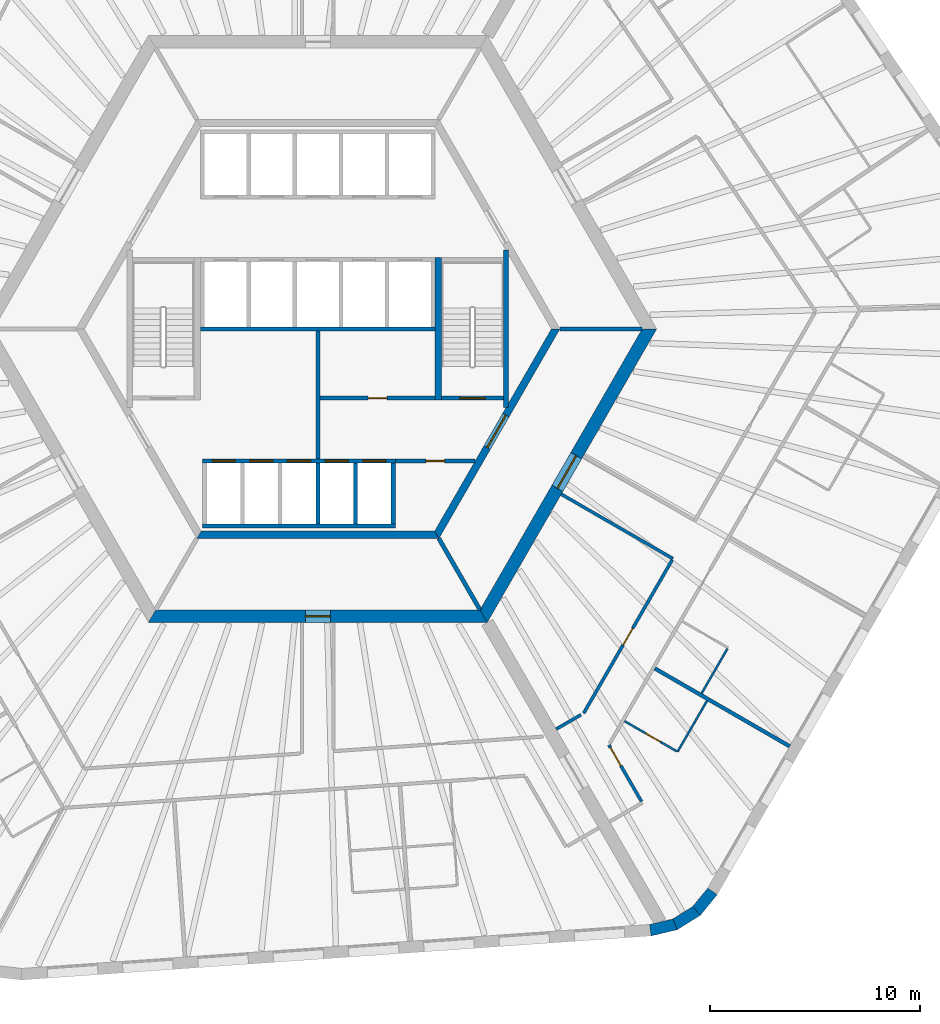
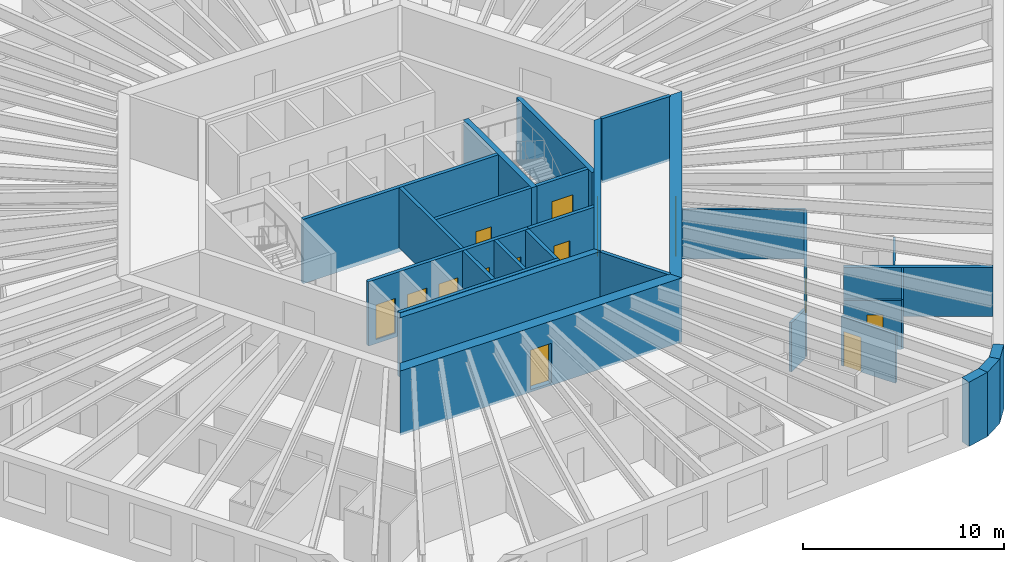
# One storey, part 5 of 11: 29 walls, 14 doors, 14 openings.
"""IFC4 building model written with IfcOpenShell, lengths in metres."""

from ifc_helpers import new_model, si_unit, direction, frame, frame_2d, origin, place, context, subcontext, project, spatial, polyline, rectangle, outline, extrude, material, layer, layer_set, type_object, element, fill, save


model = new_model("IFC4")

# Units and contexts
model_context = context("Model", 3, precision=1e-05, world=origin(), true_north=direction((0.0, 1.0)))
body_context = subcontext(model_context, "Body", "Model", "MODEL_VIEW")
ifc_project = project(units=[si_unit("LENGTHUNIT", "METRE"), si_unit("AREAUNIT", "SQUARE_METRE"), si_unit("VOLUMEUNIT", "CUBIC_METRE"), si_unit("PLANEANGLEUNIT", "RADIAN"), si_unit("MASSUNIT", "GRAM", prefix="KILO")], contexts=[model_context])

# Site, building, storey
site_placement = place(None, origin())
site = spatial("IfcSite", under=ifc_project, at=site_placement, CompositionType="ELEMENT")
building_placement = place(site_placement, origin())
building = spatial("IfcBuilding", under=site, at=building_placement, Name="Tarnside Tower", CompositionType="ELEMENT")
storey_placement = place(building_placement, frame((0.0, 0.0, 45.300048828125)))
storey = spatial("IfcBuildingStorey", under=building, at=storey_placement, Name="L08", CompositionType="ELEMENT", Elevation=45.300048828125)

# Wall
ifc_material_1 = material(Name="Gypsum board partition on steel studs", Category="steel")
ifc_layer_1 = layer(ifc_material_1, 0.10009765625)
ifc_layer_set_1 = layer_set([ifc_layer_1], Name="Bathroom wall 100")
wall_type_1 = type_object("IfcWallType", Name="Bathroom wall 100", PredefinedType="PARTITIONING", material=ifc_layer_set_1)
wall_1_placement = place(storey_placement, frame((18.56787109375, -17.739501953125, 0.0), z_axis=(0.0, 0.0, 1.0), x_axis=(-0.499998209175, -0.866026437715, 0.0)))
element("IfcWall", 1, at=wall_1_placement, inside=storey, type_object=wall_type_1, Name="Bathroom wall 01127", PredefinedType="PARTITIONING", context=body_context, shape_type="SweptSolid", body=[
    extrude(rectangle(XDim=2.81005859375, YDim=0.10009765625, at=frame_2d((1.405029296875, 0.0))), origin(), (0.0, 0.0, 1.0), 2.98779296875),
])

# Wall, opening, door
wall_2_placement = place(storey_placement, frame((17.11962890625, -20.14794921875, 0.0), z_axis=(0.0, 0.0, 1.0), x_axis=(-0.866039941686, 0.499974818771, 0.0)))
wall_2 = element("IfcWall", 2, at=wall_2_placement, inside=storey, type_object=wall_type_1, Name="Bathroom wall 01128", PredefinedType="PARTITIONING", context=body_context, shape_type="SweptSolid", body=[
    extrude(rectangle(XDim=2.875244140625, YDim=0.10009765625, at=frame_2d((1.4375, 0.0))), origin(), (0.0, 0.0, 1.0), 2.98779296875),
])
opening_1_placement = place(wall_2_placement, frame((0.89990234375, 0.0, 0.0)))
opening_1 = element("IfcOpeningElement", 3, at=opening_1_placement, cuts=wall_2, Name="Opening D-B1", PredefinedType="OPENING", context=body_context, shape_type="SweptSolid", body=[
    extrude(rectangle(XDim=0.800048828125, YDim=2.10009765625, at=frame_2d((0.39990234375, 1.050048828125))), frame((0.0, 0.06005859375, 0.0), z_axis=(0.0, -1.0, 0.0), x_axis=(1.0, 0.0, 0.0)), (0.0, 0.0, 1.0), 0.1201171875),
])
ifc_material_2 = material(Name="Timber door leaf", Category="wood")
door_type_1 = type_object("IfcDoorType", Name="Bathroom door 800", OperationType="NOTDEFINED", PredefinedType="DOOR", material=ifc_material_2)
door_1_placement = place(opening_1_placement, origin())
door_1 = element("IfcDoor", 4, at=door_1_placement, inside=storey, type_object=door_type_1, Name="Bathroom door 01028", OperationType="SINGLE_SWING_RIGHT", OverallHeight=2.10009765625, OverallWidth=0.800048828125, PredefinedType="DOOR", context=body_context, shape_type="SweptSolid", body=[
    extrude(rectangle(XDim=0.800048828125, YDim=2.10009765625, at=frame_2d((0.39990234375, 1.050048828125))), frame((0.0, 0.02490234375, 0.0), z_axis=(0.0, -1.0, 0.0), x_axis=(1.0, 0.0, 0.0)), (0.0, 0.0, 1.0), 0.050048828125),
])
fill(opening_1, door_1)

# Walls
wall_3_placement = place(storey_placement, frame((19.54150390625, -15.253173828125, 0.0), z_axis=(0.0, 0.0, 1.0), x_axis=(-0.500003092839, -0.866023618125, 0.0)))
element("IfcWall", 5, at=wall_3_placement, inside=storey, type_object=wall_type_1, Name="Bathroom wall 01133", PredefinedType="PARTITIONING", context=body_context, shape_type="SweptSolid", body=[
    extrude(rectangle(XDim=2.4599609375, YDim=0.10009765625, at=frame_2d((1.22998046875, 0.0))), origin(), (0.0, 0.0, 1.0), 2.98779296875),
])
ifc_material_3 = material(Name="Concrete C50/60", Category="concrete")
ifc_layer_2 = layer(ifc_material_3, 0.35009765625)
ifc_layer_set_2 = layer_set([ifc_layer_2], Name="Core block wall 350 C50/60")
wall_type_2 = type_object("IfcWallType", Name="Core block wall 350 C50/60", PredefinedType="SHEAR", material=ifc_layer_set_2)
wall_4_placement = place(storey_placement, frame((-5.672607421875, -9.824951171875, -0.150146484375), z_axis=(0.0, 0.0, 1.0), x_axis=(1.0, 0.0, 0.0)))
element("IfcWall", 6, at=wall_4_placement, inside=storey, type_object=wall_type_2, Name="L08 core block wall face 4", PredefinedType="SHEAR", context=body_context, shape_type="SweptSolid", body=[
    extrude(outline(polyline([(-0.10107421875, -0.175048828125), (11.4462890625, -0.175048828125), (11.244140625, 0.175048828125), (0.10107421875, 0.175048828125), (-0.10107421875, -0.175048828125)])), origin(), (0.0, 0.0, 1.0), 3.900146484375),
])

# Wall, opening, door
wall_5_placement = place(storey_placement, frame((5.672607421875, -9.824951171875, -0.150146484375), z_axis=(0.0, 0.0, 1.0), x_axis=(0.499995046907, 0.866028263435, 0.0)))
wall_5 = element("IfcWall", 7, at=wall_5_placement, inside=storey, type_object=wall_type_2, Name="L08 core block wall face 5", PredefinedType="SHEAR", context=body_context, shape_type="SweptSolid", body=[
    extrude(outline(polyline([(-0.10107421875, -0.175048828125), (11.44580078125, -0.175048828125), (11.24365234375, 0.175048828125), (0.10107421875, 0.175048828125), (-0.10107421875, -0.175048828125)])), origin(), (0.0, 0.0, 1.0), 3.900146484375),
])
opening_2_placement = place(wall_5_placement, frame((4.80126953125, 0.0, 0.14990234375)))
opening_2 = element("IfcOpeningElement", 8, at=opening_2_placement, cuts=wall_5, Name="Opening CD-FFL", PredefinedType="OPENING", context=body_context, shape_type="SweptSolid", body=[
    extrude(rectangle(XDim=1.800048828125, YDim=2.39990234375, at=frame_2d((0.89990234375, 1.199951171875))), frame((0.0, 0.18505859375, 0.0), z_axis=(0.0, -1.0, 0.0), x_axis=(1.0, 0.0, 0.0)), (0.0, 0.0, 1.0), 0.3701171875),
])
ifc_material_4 = material(Name="Steel fire door", Category="steel")
door_type_2 = type_object("IfcDoorType", Name="Firefighting lobby double door FD60S 1800x2400", OperationType="NOTDEFINED", PredefinedType="DOOR", material=ifc_material_4)
door_2_placement = place(opening_2_placement, origin())
door_2 = element("IfcDoor", 9, at=door_2_placement, inside=storey, type_object=door_type_2, Name="L08 lobby block door P4", OperationType="DOUBLE_DOOR_SINGLE_SWING", OverallHeight=2.39990234375, OverallWidth=1.800048828125, PredefinedType="DOOR", context=body_context, shape_type="SweptSolid", body=[
    extrude(rectangle(XDim=1.800048828125, YDim=2.39990234375, at=frame_2d((0.89990234375, 1.199951171875))), frame((0.0, 0.02490234375, 0.0), z_axis=(0.0, -1.0, 0.0), x_axis=(1.0, 0.0, 0.0)), (0.0, 0.0, 1.0), 0.050048828125),
])
fill(opening_2, door_2)

ifc_material_5 = material(Name="Concrete C40/50", Category="concrete")
ifc_layer_3 = layer(ifc_material_5, 0.199951171875)
ifc_layer_set_3 = layer_set([ifc_layer_3], Name="Core room partition 200 C40/50")
wall_type_3 = type_object("IfcWallType", Name="Core room partition 200 C40/50", PredefinedType="PARTITIONING", material=ifc_layer_set_3)
wall_6_placement = place(storey_placement, frame((0.10009765625, -3.300048828125, 0.0), z_axis=(0.0, 0.0, 1.0), x_axis=(1.0, 0.0, 0.0)))
wall_6 = element("IfcWall", 10, at=wall_6_placement, inside=storey, type_object=wall_type_3, Name="L08 core partition R3S1", PredefinedType="PARTITIONING", context=body_context, shape_type="SweptSolid", body=[
    extrude(rectangle(XDim=5.5, YDim=0.199951171875, at=frame_2d((2.75, 0.0))), origin(), (0.0, 0.0, 1.0), 3.64990234375),
])
opening_3_placement = place(wall_6_placement, frame((2.300048828125, 0.0, 0.0)))
opening_3 = element("IfcOpeningElement", 11, at=opening_3_placement, cuts=wall_6, Name="Opening CD-room", PredefinedType="OPENING", context=body_context, shape_type="SweptSolid", body=[
    extrude(rectangle(XDim=0.89990234375, YDim=2.10009765625, at=frame_2d((0.449951171875, 1.050048828125))), frame((0.0, 0.10986328125, 0.0), z_axis=(0.0, -1.0, 0.0), x_axis=(1.0, 0.0, 0.0)), (0.0, 0.0, 1.0), 0.219970703125),
])
door_type_3 = type_object("IfcDoorType", Name="Room door FD60 900x2100", OperationType="NOTDEFINED", PredefinedType="DOOR", material=ifc_material_4)
door_3_placement = place(opening_3_placement, origin())
door_3 = element("IfcDoor", 12, at=door_3_placement, inside=storey, type_object=door_type_3, Name="L08 core room door SR1", OperationType="SINGLE_SWING_LEFT", OverallHeight=2.10009765625, OverallWidth=0.89990234375, PredefinedType="DOOR", context=body_context, shape_type="SweptSolid", body=[
    extrude(rectangle(XDim=0.89990234375, YDim=2.10009765625, at=frame_2d((0.449951171875, 1.050048828125))), frame((0.0, 0.02490234375, 0.0), z_axis=(0.0, -1.0, 0.0), x_axis=(1.0, 0.0, 0.0)), (0.0, 0.0, 1.0), 0.050048828125),
])
fill(opening_3, door_3)

# Wall
wall_7_placement = place(storey_placement, frame((0.0, -6.199951171875, 0.0), z_axis=(0.0, 0.0, 1.0), x_axis=(0.0, 1.0, 0.0)))
element("IfcWall", 13, at=wall_7_placement, inside=storey, type_object=wall_type_3, Name="L08 core partition X0", PredefinedType="PARTITIONING", context=body_context, shape_type="SweptSolid", body=[
    extrude(rectangle(XDim=6.099853515625, YDim=0.199951171875, at=frame_2d((3.0498046875, 0.0))), origin(), (0.0, 0.0, 1.0), 3.64990234375),
])

# Wall, opening, door
wall_8_placement = place(storey_placement, frame((3.699951171875, -6.300048828125, 0.0), z_axis=(0.0, 0.0, 1.0), x_axis=(1.0, 0.0, 0.0)))
wall_8 = element("IfcWall", 14, at=wall_8_placement, inside=storey, type_object=wall_type_3, Name="L08 core partition R4X", PredefinedType="PARTITIONING", context=body_context, shape_type="SweptSolid", body=[
    extrude(rectangle(XDim=3.8056640625, YDim=0.199951171875, at=frame_2d((1.90283203125, 0.0))), origin(), (0.0, 0.0, 1.0), 3.64990234375),
])
opening_4_placement = place(wall_8_placement, frame((1.452880859375, 0.0, 0.0)))
opening_4 = element("IfcOpeningElement", 15, at=opening_4_placement, cuts=wall_8, Name="Opening CD-room", PredefinedType="OPENING", context=body_context, shape_type="SweptSolid", body=[
    extrude(rectangle(XDim=0.89990234375, YDim=2.10009765625, at=frame_2d((0.449951171875, 1.050048828125))), frame((0.0, 0.10986328125, 0.0), z_axis=(0.0, -1.0, 0.0), x_axis=(1.0, 0.0, 0.0)), (0.0, 0.0, 1.0), 0.219970703125),
])
door_4_placement = place(opening_4_placement, origin())
door_4 = element("IfcDoor", 16, at=door_4_placement, inside=storey, type_object=door_type_3, Name="L08 core room door RX", OperationType="SINGLE_SWING_LEFT", OverallHeight=2.10009765625, OverallWidth=0.89990234375, PredefinedType="DOOR", context=body_context, shape_type="SweptSolid", body=[
    extrude(rectangle(XDim=0.89990234375, YDim=2.10009765625, at=frame_2d((0.449951171875, 1.050048828125))), frame((0.0, 0.02490234375, 0.0), z_axis=(0.0, -1.0, 0.0), x_axis=(1.0, 0.0, 0.0)), (0.0, 0.0, 1.0), 0.050048828125),
])
fill(opening_4, door_4)

ifc_material_6 = material(Name="Concrete C80/95", Category="concrete")
ifc_layer_4 = layer(ifc_material_6, 0.60009765625)
ifc_layer_set_4 = layer_set([ifc_layer_4], Name="Core wall Z1 600 C80/95")
wall_type_4 = type_object("IfcWallType", Name="Core wall Z1 600 C80/95", PredefinedType="SHEAR", material=ifc_layer_set_4)
wall_9_placement = place(storey_placement, frame((-7.90966796875, -13.699951171875, -0.150146484375), z_axis=(0.0, 0.0, 1.0), x_axis=(1.0, 0.0, 0.0)))
wall_9 = element("IfcWall", 17, at=wall_9_placement, inside=storey, type_object=wall_type_4, Name="L08 core wall face 4", PredefinedType="SHEAR", context=body_context, shape_type="SweptSolid", body=[
    extrude(outline(polyline([(-0.17333984375, -0.300048828125), (15.99267578125, -0.300048828125), (15.64599609375, 0.300048828125), (0.17333984375, 0.300048828125), (-0.17333984375, -0.300048828125)])), origin(), (0.0, 0.0, 1.0), 3.900146484375),
])
opening_5_placement = place(wall_9_placement, frame((7.309814453125, 0.0, 0.14990234375)))
opening_5 = element("IfcOpeningElement", 18, at=opening_5_placement, cuts=wall_9, Name="Opening CD-RSR", PredefinedType="OPENING", context=body_context, shape_type="SweptSolid", body=[
    extrude(rectangle(XDim=1.199951171875, YDim=2.39990234375, at=frame_2d((0.60009765625, 1.199951171875))), frame((0.0, 0.31005859375, 0.0), z_axis=(0.0, -1.0, 0.0), x_axis=(1.0, 0.0, 0.0)), (0.0, 0.0, 1.0), 0.6201171875),
])
door_type_4 = type_object("IfcDoorType", Name="Riser door FD60 1200x2400", OperationType="NOTDEFINED", PredefinedType="DOOR", material=ifc_material_4)
door_5_placement = place(opening_5_placement, origin())
door_5 = element("IfcDoor", 19, at=door_5_placement, inside=storey, type_object=door_type_4, Name="L08 core door S6", OperationType="SINGLE_SWING_LEFT", OverallHeight=2.39990234375, OverallWidth=1.199951171875, PredefinedType="DOOR", context=body_context, shape_type="SweptSolid", body=[
    extrude(rectangle(XDim=1.199951171875, YDim=2.39990234375, at=frame_2d((0.60009765625, 1.199951171875))), frame((0.0, 0.02490234375, 0.0), z_axis=(0.0, -1.0, 0.0), x_axis=(1.0, 0.0, 0.0)), (0.0, 0.0, 1.0), 0.050048828125),
])
fill(opening_5, door_5)

wall_10_placement = place(storey_placement, frame((7.90966796875, -13.699951171875, -0.150146484375), z_axis=(0.0, 0.0, 1.0), x_axis=(0.499999880136, 0.866025472988, 0.0)))
wall_10 = element("IfcWall", 20, at=wall_10_placement, inside=storey, type_object=wall_type_4, Name="L08 core wall face 5", PredefinedType="SHEAR", context=body_context, shape_type="SweptSolid", body=[
    extrude(outline(polyline([(-0.17333984375, -0.300048828125), (15.99267578125, -0.300048828125), (15.64599609375, 0.300048828125), (0.17333984375, 0.300048828125), (-0.17333984375, -0.300048828125)])), origin(), (0.0, 0.0, 1.0), 3.900146484375),
])
opening_6_placement = place(wall_10_placement, frame((7.03857421875, 0.0, 0.14990234375)))
opening_6 = element("IfcOpeningElement", 21, at=opening_6_placement, cuts=wall_10, Name="Opening CD-FFL", PredefinedType="OPENING", context=body_context, shape_type="SweptSolid", body=[
    extrude(rectangle(XDim=1.800048828125, YDim=2.39990234375, at=frame_2d((0.89990234375, 1.199951171875))), frame((0.0, 0.31005859375, 0.0), z_axis=(0.0, -1.0, 0.0), x_axis=(1.0, 0.0, 0.0)), (0.0, 0.0, 1.0), 0.6201171875),
])
door_6_placement = place(opening_6_placement, origin())
door_6 = element("IfcDoor", 22, at=door_6_placement, inside=storey, type_object=door_type_2, Name="L08 core door P4", OperationType="DOUBLE_DOOR_SINGLE_SWING", OverallHeight=2.39990234375, OverallWidth=1.800048828125, PredefinedType="DOOR", context=body_context, shape_type="SweptSolid", body=[
    extrude(rectangle(XDim=1.800048828125, YDim=2.39990234375, at=frame_2d((0.89990234375, 1.199951171875))), frame((0.0, 0.02490234375, 0.0), z_axis=(0.0, -1.0, 0.0), x_axis=(1.0, 0.0, 0.0)), (0.0, 0.0, 1.0), 0.050048828125),
])
fill(opening_6, door_6)

ifc_layer_5 = layer(ifc_material_1, 0.14990234375)
ifc_layer_set_5 = layer_set([ifc_layer_5], Name="Corridor wall 150 EI 60")
wall_type_5 = type_object("IfcWallType", Name="Corridor wall 150 EI 60", PredefinedType="PARTITIONING", material=ifc_layer_set_5)
wall_11_placement = place(storey_placement, frame((15.44140625, -22.545166015625, 0.0), z_axis=(0.0, 0.0, 1.0), x_axis=(-0.500037089193, 0.86600398927, 0.0)))
wall_11 = element("IfcWall", 23, at=wall_11_placement, inside=storey, type_object=wall_type_5, Name="Corridor wall 01050", PredefinedType="PARTITIONING", context=body_context, shape_type="SweptSolid", body=[
    extrude(rectangle(XDim=3.112060546875, YDim=0.14990234375, at=frame_2d((1.55615234375, 0.0))), origin(), (0.0, 0.0, 1.0), 2.98779296875),
])
opening_7_placement = place(wall_11_placement, frame((1.962158203125, 0.0, 0.0)))
opening_7 = element("IfcOpeningElement", 24, at=opening_7_placement, cuts=wall_11, Name="Opening D-E1", PredefinedType="OPENING", context=body_context, shape_type="SweptSolid", body=[
    extrude(rectangle(XDim=1.0, YDim=2.10009765625, at=frame_2d((0.5, 1.050048828125))), frame((0.0, 0.0849609375, 0.0), z_axis=(0.0, -1.0, 0.0), x_axis=(1.0, 0.0, 0.0)), (0.0, 0.0, 1.0), 0.169921875),
])
door_type_5 = type_object("IfcDoorType", Name="Unit entrance door 1000 FD30S", OperationType="NOTDEFINED", PredefinedType="DOOR", material=ifc_material_2)
door_7_placement = place(opening_7_placement, origin())
door_7 = element("IfcDoor", 25, at=door_7_placement, inside=storey, type_object=door_type_5, Name="Unit door 01027", OperationType="SINGLE_SWING_LEFT", OverallHeight=2.10009765625, OverallWidth=1.0, PredefinedType="DOOR", context=body_context, shape_type="SweptSolid", body=[
    extrude(rectangle(XDim=1.0, YDim=2.10009765625, at=frame_2d((0.5, 1.050048828125))), frame((0.0, 0.02490234375, 0.0), z_axis=(0.0, -1.0, 0.0), x_axis=(1.0, 0.0, 0.0)), (0.0, 0.0, 1.0), 0.050048828125),
])
fill(opening_7, door_7)

# Wall
wall_12_placement = place(storey_placement, frame((11.61376953125, -7.88427734375, 0.0), z_axis=(0.0, 0.0, 1.0), x_axis=(0.866033542371, -0.499985903289, 0.0)))
element("IfcWall", 26, at=wall_12_placement, inside=storey, type_object=wall_type_5, Name="Corridor wall 01072", PredefinedType="PARTITIONING", context=body_context, shape_type="SweptSolid", body=[
    extrude(rectangle(XDim=6.150146484375, YDim=0.14990234375, at=frame_2d((3.0751953125, 0.0))), origin(), (0.0, 0.0, 1.0), 2.98779296875),
])

# Wall, opening, door
wall_13_placement = place(storey_placement, frame((16.90234375, -11.024169921875, 0.0), z_axis=(0.0, 0.0, 1.0), x_axis=(-0.499999527968, -0.866025676312, 0.0)))
wall_13 = element("IfcWall", 27, at=wall_13_placement, inside=storey, type_object=wall_type_5, Name="Corridor wall 01073", PredefinedType="PARTITIONING", context=body_context, shape_type="SweptSolid", body=[
    extrude(rectangle(XDim=8.44091796875, YDim=0.14990234375, at=frame_2d((4.220458984375, 0.0))), origin(), (0.0, 0.0, 1.0), 2.98779296875),
])
opening_8_placement = place(wall_13_placement, frame((3.7705078125, 0.0, 0.0)))
opening_8 = element("IfcOpeningElement", 28, at=opening_8_placement, cuts=wall_13, Name="Opening D-S1", PredefinedType="OPENING", context=body_context, shape_type="SweptSolid", body=[
    extrude(rectangle(XDim=0.89990234375, YDim=2.10009765625, at=frame_2d((0.449951171875, 1.050048828125))), frame((0.0, 0.0849609375, 0.0), z_axis=(0.0, -1.0, 0.0), x_axis=(1.0, 0.0, 0.0)), (0.0, 0.0, 1.0), 0.169921875),
])
door_type_6 = type_object("IfcDoorType", Name="Service room door 900 FD30S", OperationType="NOTDEFINED", PredefinedType="DOOR", material=ifc_material_2)
door_8_placement = place(opening_8_placement, origin())
door_8 = element("IfcDoor", 29, at=door_8_placement, inside=storey, type_object=door_type_6, Name="Service door 01049", OperationType="SINGLE_SWING_RIGHT", OverallHeight=2.10009765625, OverallWidth=0.89990234375, PredefinedType="DOOR", context=body_context, shape_type="SweptSolid", body=[
    extrude(rectangle(XDim=0.89990234375, YDim=2.10009765625, at=frame_2d((0.449951171875, 1.050048828125))), frame((0.0, 0.02490234375, 0.0), z_axis=(0.0, -1.0, 0.0), x_axis=(1.0, 0.0, 0.0)), (0.0, 0.0, 1.0), 0.050048828125),
])
fill(opening_8, door_8)

# Walls
wall_14_placement = place(storey_placement, frame((12.552001953125, -18.409423828125, 0.0), z_axis=(0.0, 0.0, 1.0), x_axis=(-0.866078408764, -0.499908181442, 0.0)))
element("IfcWall", 30, at=wall_14_placement, inside=storey, type_object=wall_type_5, Name="Corridor wall 01074", PredefinedType="PARTITIONING", context=body_context, shape_type="SweptSolid", body=[
    extrude(rectangle(XDim=1.365478515625, YDim=0.14990234375, at=frame_2d((0.6826171875, 0.0))), origin(), (0.0, 0.0, 1.0), 2.98779296875),
])
ifc_layer_6 = layer(ifc_material_1, 0.179931640625)
ifc_layer_set_6 = layer_set([ifc_layer_6], Name="Demising wall 180 EI 60")
wall_type_6 = type_object("IfcWallType", Name="Demising wall 180 EI 60", PredefinedType="PARTITIONING", material=ifc_layer_set_6)
wall_15_placement = place(storey_placement, frame((22.510009765625, -19.91162109375, 0.0), z_axis=(0.0, 0.0, 1.0), x_axis=(-0.866014745021, 0.500018461065, 0.0)))
element("IfcWall", 31, at=wall_15_placement, inside=storey, type_object=wall_type_6, Name="Demising wall 01129", PredefinedType="PARTITIONING", context=body_context, shape_type="SweptSolid", body=[
    extrude(rectangle(XDim=7.425048828125, YDim=0.179931640625, at=frame_2d((3.71240234375, 0.0))), origin(), (0.0, 0.0, 1.0), 2.98779296875),
])
ifc_layer_7 = layer(ifc_material_5, 0.199951171875)
ifc_layer_set_7 = layer_set([ifc_layer_7], Name="Lift shaft wall 200 C40/50")
wall_type_7 = type_object("IfcWallType", Name="Lift shaft wall 200 C40/50", PredefinedType="SHEAR", material=ifc_layer_set_7)
wall_16_placement = place(storey_placement, frame((-5.60009765625, 0.0, -0.25), z_axis=(0.0, 0.0, 1.0), x_axis=(1.0, 0.0, 0.0)))
element("IfcWall", 32, at=wall_16_placement, inside=storey, type_object=wall_type_7, Name="L08 lift shaft back wall R2", PredefinedType="SHEAR", context=body_context, shape_type="SweptSolid", body=[
    extrude(rectangle(XDim=11.2001953125, YDim=0.199951171875, at=frame_2d((5.60009765625, 0.0))), origin(), (0.0, 0.0, 1.0), 3.89990234375),
])

# Wall, openings, doors
wall_17_placement = place(storey_placement, frame((-5.5, -6.300048828125, -0.25), z_axis=(0.0, 0.0, 1.0), x_axis=(1.0, 0.0, 0.0)))
wall_17 = element("IfcWall", 33, at=wall_17_placement, inside=storey, type_object=wall_type_7, Name="L08 lift shaft front wall R4", PredefinedType="SHEAR", context=body_context, shape_type="SweptSolid", body=[
    extrude(rectangle(XDim=9.199951171875, YDim=0.199951171875, at=frame_2d((4.60009765625, 0.0))), origin(), (0.0, 0.0, 1.0), 3.89990234375),
])
opening_9_placement = place(wall_17_placement, frame((0.449951171875, 0.0, 0.25)))
opening_9 = element("IfcOpeningElement", 34, at=opening_9_placement, cuts=wall_17, Name="Opening LDF", PredefinedType="OPENING", context=body_context, shape_type="SweptSolid", body=[
    extrude(rectangle(XDim=1.10009765625, YDim=2.10009765625, at=frame_2d((0.550048828125, 1.050048828125))), frame((0.0, 0.10986328125, 0.0), z_axis=(0.0, -1.0, 0.0), x_axis=(1.0, 0.0, 0.0)), (0.0, 0.0, 1.0), 0.219970703125),
])
opening_10_placement = place(wall_17_placement, frame((2.25, 0.0, 0.25)))
opening_10 = element("IfcOpeningElement", 35, at=opening_10_placement, cuts=wall_17, Name="Opening LDF", PredefinedType="OPENING", context=body_context, shape_type="SweptSolid", body=[
    extrude(rectangle(XDim=1.10009765625, YDim=2.10009765625, at=frame_2d((0.550048828125, 1.050048828125))), frame((0.0, 0.10986328125, 0.0), z_axis=(0.0, -1.0, 0.0), x_axis=(1.0, 0.0, 0.0)), (0.0, 0.0, 1.0), 0.219970703125),
])
opening_11_placement = place(wall_17_placement, frame((4.050048828125, 0.0, 0.25)))
opening_11 = element("IfcOpeningElement", 36, at=opening_11_placement, cuts=wall_17, Name="Opening LDF", PredefinedType="OPENING", context=body_context, shape_type="SweptSolid", body=[
    extrude(rectangle(XDim=1.10009765625, YDim=2.10009765625, at=frame_2d((0.550048828125, 1.050048828125))), frame((0.0, 0.10986328125, 0.0), z_axis=(0.0, -1.0, 0.0), x_axis=(1.0, 0.0, 0.0)), (0.0, 0.0, 1.0), 0.219970703125),
])
opening_12_placement = place(wall_17_placement, frame((5.85009765625, 0.0, 0.25)))
opening_12 = element("IfcOpeningElement", 37, at=opening_12_placement, cuts=wall_17, Name="Opening LDF", PredefinedType="OPENING", context=body_context, shape_type="SweptSolid", body=[
    extrude(rectangle(XDim=1.10009765625, YDim=2.10009765625, at=frame_2d((0.550048828125, 1.050048828125))), frame((0.0, 0.10986328125, 0.0), z_axis=(0.0, -1.0, 0.0), x_axis=(1.0, 0.0, 0.0)), (0.0, 0.0, 1.0), 0.219970703125),
])
opening_13_placement = place(wall_17_placement, frame((7.64990234375, 0.0, 0.25)))
opening_13 = element("IfcOpeningElement", 38, at=opening_13_placement, cuts=wall_17, Name="Opening LDF", PredefinedType="OPENING", context=body_context, shape_type="SweptSolid", body=[
    extrude(rectangle(XDim=1.10009765625, YDim=2.10009765625, at=frame_2d((0.550048828125, 1.050048828125))), frame((0.0, 0.10986328125, 0.0), z_axis=(0.0, -1.0, 0.0), x_axis=(1.0, 0.0, 0.0)), (0.0, 0.0, 1.0), 0.219970703125),
])
ifc_material_7 = material(Name="Stainless steel", Category="steel")
door_type_7 = type_object("IfcDoorType", Name="Lift landing door 1100x2100 EI 120", OperationType="NOTDEFINED", PredefinedType="DOOR", material=ifc_material_7)
door_9_placement = place(opening_9_placement, origin())
door_9 = element("IfcDoor", 39, at=door_9_placement, inside=storey, type_object=door_type_7, Name="Firefighting lift 1 landing door L08", OperationType="SLIDING_TO_LEFT", OverallHeight=2.10009765625, OverallWidth=1.10009765625, PredefinedType="DOOR", context=body_context, shape_type="SweptSolid", body=[
    extrude(rectangle(XDim=1.10009765625, YDim=2.10009765625, at=frame_2d((0.550048828125, 1.050048828125))), frame((0.0, 0.02490234375, 0.0), z_axis=(0.0, -1.0, 0.0), x_axis=(1.0, 0.0, 0.0)), (0.0, 0.0, 1.0), 0.050048828125),
])
fill(opening_9, door_9)
door_10_placement = place(opening_10_placement, origin())
door_10 = element("IfcDoor", 40, at=door_10_placement, inside=storey, type_object=door_type_7, Name="Firefighting lift 2 landing door L08", OperationType="SLIDING_TO_LEFT", OverallHeight=2.10009765625, OverallWidth=1.10009765625, PredefinedType="DOOR", context=body_context, shape_type="SweptSolid", body=[
    extrude(rectangle(XDim=1.10009765625, YDim=2.10009765625, at=frame_2d((0.550048828125, 1.050048828125))), frame((0.0, 0.02490234375, 0.0), z_axis=(0.0, -1.0, 0.0), x_axis=(1.0, 0.0, 0.0)), (0.0, 0.0, 1.0), 0.050048828125),
])
fill(opening_10, door_10)
door_11_placement = place(opening_11_placement, origin())
door_11 = element("IfcDoor", 41, at=door_11_placement, inside=storey, type_object=door_type_7, Name="Firefighting lift 3 landing door L08", OperationType="SLIDING_TO_LEFT", OverallHeight=2.10009765625, OverallWidth=1.10009765625, PredefinedType="DOOR", context=body_context, shape_type="SweptSolid", body=[
    extrude(rectangle(XDim=1.10009765625, YDim=2.10009765625, at=frame_2d((0.550048828125, 1.050048828125))), frame((0.0, 0.02490234375, 0.0), z_axis=(0.0, -1.0, 0.0), x_axis=(1.0, 0.0, 0.0)), (0.0, 0.0, 1.0), 0.050048828125),
])
fill(opening_11, door_11)
door_12_placement = place(opening_12_placement, origin())
door_12 = element("IfcDoor", 42, at=door_12_placement, inside=storey, type_object=door_type_7, Name="Firefighting lift 4 landing door L08", OperationType="SLIDING_TO_LEFT", OverallHeight=2.10009765625, OverallWidth=1.10009765625, PredefinedType="DOOR", context=body_context, shape_type="SweptSolid", body=[
    extrude(rectangle(XDim=1.10009765625, YDim=2.10009765625, at=frame_2d((0.550048828125, 1.050048828125))), frame((0.0, 0.02490234375, 0.0), z_axis=(0.0, -1.0, 0.0), x_axis=(1.0, 0.0, 0.0)), (0.0, 0.0, 1.0), 0.050048828125),
])
fill(opening_12, door_12)
door_13_placement = place(opening_13_placement, origin())
door_13 = element("IfcDoor", 43, at=door_13_placement, inside=storey, type_object=door_type_7, Name="Firefighting lift 5 landing door L08", OperationType="SLIDING_TO_LEFT", OverallHeight=2.10009765625, OverallWidth=1.10009765625, PredefinedType="DOOR", context=body_context, shape_type="SweptSolid", body=[
    extrude(rectangle(XDim=1.10009765625, YDim=2.10009765625, at=frame_2d((0.550048828125, 1.050048828125))), frame((0.0, 0.02490234375, 0.0), z_axis=(0.0, -1.0, 0.0), x_axis=(1.0, 0.0, 0.0)), (0.0, 0.0, 1.0), 0.050048828125),
])
fill(opening_13, door_13)

# Walls
wall_18_placement = place(storey_placement, frame((-5.5, -9.39990234375, -0.25), z_axis=(0.0, 0.0, 1.0), x_axis=(1.0, 0.0, 0.0)))
element("IfcWall", 44, at=wall_18_placement, inside=storey, type_object=wall_type_7, Name="L08 lift shaft back wall R4", PredefinedType="SHEAR", context=body_context, shape_type="SweptSolid", body=[
    extrude(rectangle(XDim=9.199951171875, YDim=0.199951171875, at=frame_2d((4.60009765625, 0.0))), origin(), (0.0, 0.0, 1.0), 3.89990234375),
])
for number, where, z_axis, x_axis, name in (
    (45, (0.0, -9.300048828125, -0.25), (0.0, 0.0, 1.0), (0.0, 1.0, 0.0), "L08 lift shaft partition R44"),
    (46, (1.800048828125, -9.300048828125, -0.25), (0.0, 0.0, 1.0), (0.0, 1.0, 0.0), "L08 lift shaft partition R45"),
    (47, (3.60009765625, -9.300048828125, -0.25), (0.0, 0.0, 1.0), (0.0, 1.0, 0.0), "L08 lift shaft partition R46"),
):
    element("IfcWall", number, at=place(storey_placement, frame(where, z_axis=z_axis, x_axis=x_axis)), inside=storey, type_object=wall_type_7, Name=name, PredefinedType="SHEAR", context=body_context, shape_type="SweptSolid", body=[
        extrude(rectangle(XDim=2.900146484375, YDim=0.199951171875, at=frame_2d((1.4501953125, 0.0))), origin(), (0.0, 0.0, 1.0), 3.89990234375),
    ])
wall_19_placement = place(storey_placement, frame((11.547119140625, 0.0, -0.150146484375), z_axis=(0.0, 0.0, 1.0), x_axis=(1.0, 0.0, 0.0)))
element("IfcWall", 48, at=wall_19_placement, inside=storey, type_object=wall_type_7, Name="L08 core partition AR0", PredefinedType="SHEAR", context=body_context, shape_type="SweptSolid", body=[
    extrude(rectangle(XDim=3.92578125, YDim=0.199951171875, at=frame_2d((1.962890625, 0.0))), origin(), (0.0, 0.0, 1.0), 3.900146484375),
])
wall_20_placement = place(storey_placement, frame((5.7734375, -10.0, -0.150146484375), z_axis=(0.0, 0.0, 1.0), x_axis=(0.500038251005, -0.86600331843, 0.0)))
element("IfcWall", 49, at=wall_20_placement, inside=storey, type_object=wall_type_7, Name="L08 core partition AR300", PredefinedType="SHEAR", context=body_context, shape_type="SweptSolid", body=[
    extrude(rectangle(XDim=3.926025390625, YDim=0.199951171875, at=frame_2d((1.962890625, 0.0))), origin(), (0.0, 0.0, 1.0), 3.900146484375),
])

# Wall, opening, door
wall_21_placement = place(storey_placement, frame((5.89990234375, -3.300048828125, -0.25), z_axis=(0.0, 0.0, 1.0), x_axis=(1.0, 0.0, 0.0)))
wall_21 = element("IfcWall", 50, at=wall_21_placement, inside=storey, type_object=wall_type_7, Name="L08 stair 1 enclosure cap wall s", PredefinedType="SHEAR", context=body_context, shape_type="SweptSolid", body=[
    extrude(rectangle(XDim=2.9501953125, YDim=0.199951171875, at=frame_2d((1.47509765625, 0.0))), origin(), (0.0, 0.0, 1.0), 3.89990234375),
])
opening_14_placement = place(wall_21_placement, frame((0.875, 0.0, 0.25)))
opening_14 = element("IfcOpeningElement", 51, at=opening_14_placement, cuts=wall_21, Name="Opening CD-STR", PredefinedType="OPENING", context=body_context, shape_type="SweptSolid", body=[
    extrude(rectangle(XDim=1.199951171875, YDim=2.39990234375, at=frame_2d((0.60009765625, 1.199951171875))), frame((0.0, 0.10986328125, 0.0), z_axis=(0.0, -1.0, 0.0), x_axis=(1.0, 0.0, 0.0)), (0.0, 0.0, 1.0), 0.219970703125),
])
door_type_8 = type_object("IfcDoorType", Name="Stair door FD60S 1200x2400", OperationType="NOTDEFINED", PredefinedType="DOOR", material=ifc_material_4)
door_14_placement = place(opening_14_placement, origin())
door_14 = element("IfcDoor", 52, at=door_14_placement, inside=storey, type_object=door_type_8, Name="L08 stair 1 door", OperationType="SINGLE_SWING_LEFT", OverallHeight=2.39990234375, OverallWidth=1.199951171875, PredefinedType="DOOR", context=body_context, shape_type="SweptSolid", body=[
    extrude(rectangle(XDim=1.199951171875, YDim=2.39990234375, at=frame_2d((0.60009765625, 1.199951171875))), frame((0.0, 0.02490234375, 0.0), z_axis=(0.0, -1.0, 0.0), x_axis=(1.0, 0.0, 0.0)), (0.0, 0.0, 1.0), 0.050048828125),
])
fill(opening_14, door_14)

# Walls
ifc_layer_8 = layer(ifc_material_5, 0.25)
ifc_layer_set_8 = layer_set([ifc_layer_8], Name="Stair enclosure wall 250 C40/50")
wall_type_8 = type_object("IfcWallType", Name="Stair enclosure wall 250 C40/50", PredefinedType="SHEAR", material=ifc_layer_set_8)
wall_22_placement = place(storey_placement, frame((8.97509765625, -3.7548828125, -0.25), z_axis=(0.0, 0.0, 1.0), x_axis=(0.0, 1.0, 0.0)))
element("IfcWall", 53, at=wall_22_placement, inside=storey, type_object=wall_type_8, Name="L08 stair 1 enclosure wall outer", PredefinedType="SHEAR", context=body_context, shape_type="SweptSolid", body=[
    extrude(rectangle(XDim=7.509765625, YDim=0.25, at=frame_2d((3.7548828125, 0.0))), origin(), (0.0, 0.0, 1.0), 3.89990234375),
])
ifc_layer_9 = layer(ifc_material_5, 0.300048828125)
ifc_layer_set_9 = layer_set([ifc_layer_9], Name="Stair enclosure wall 300 C40/50")
wall_type_9 = type_object("IfcWallType", Name="Stair enclosure wall 300 C40/50", PredefinedType="SHEAR", material=ifc_layer_set_9)
wall_23_placement = place(storey_placement, frame((5.75, -3.39990234375, -0.25), z_axis=(0.0, 0.0, 1.0), x_axis=(0.0, 1.0, 0.0)))
element("IfcWall", 54, at=wall_23_placement, inside=storey, type_object=wall_type_9, Name="L08 stair 1 enclosure wall inner", PredefinedType="SHEAR", context=body_context, shape_type="SweptSolid", body=[
    extrude(rectangle(XDim=6.7998046875, YDim=0.300048828125, at=frame_2d((3.39990234375, 0.0))), origin(), (0.0, 0.0, 1.0), 3.89990234375),
])
ifc_material_8 = material(Name="Facing brick", Category="masonry")
ifc_layer_10 = layer(ifc_material_8, 0.10205078125)
ifc_material_9 = material(Name="Concrete C60/75 precast", Category="concrete")
ifc_layer_11 = layer(ifc_material_9, 0.347900390625)
ifc_material_10 = material(Name="Mineral wool insulation")
ifc_layer_12 = layer(ifc_material_10, 0.10009765625)
ifc_layer_set_10 = layer_set([ifc_layer_10, ifc_layer_11, ifc_layer_12], Name="Tube wall 550 brick faced")
wall_type_10 = type_object("IfcWallType", Name="Tube wall 550 brick faced", PredefinedType="SOLIDWALL", material=ifc_layer_set_10)
wall_24_placement = place(storey_placement, frame((15.8642578125, -28.688232421875, -0.150146484375), z_axis=(0.0, 0.0, 1.0), x_axis=(0.973063591128, 0.230536868247, 0.0)))
element("IfcWall", 55, at=wall_24_placement, inside=storey, type_object=wall_type_10, Name="Tube wall L08 F4 chord 13", PredefinedType="SOLIDWALL", context=body_context, shape_type="SweptSolid", body=[
    extrude(outline(polyline([(-0.0224609375, -0.27490234375), (1.25341796875, -0.27490234375), (1.1630859375, 0.27490234375), (0.0224609375, 0.27490234375), (-0.0224609375, -0.27490234375)])), origin(), (0.0, 0.0, 1.0), 3.900146484375),
])
wall_25_placement = place(storey_placement, frame((17.0400390625, -28.40966796875, -0.150146484375), z_axis=(0.0, 0.0, 1.0), x_axis=(0.847952888306, 0.530071598195, 0.0)))
element("IfcWall", 56, at=wall_25_placement, inside=storey, type_object=wall_type_10, Name="Tube wall L08 F4 chord 14", PredefinedType="SOLIDWALL", context=body_context, shape_type="SweptSolid", body=[
    extrude(outline(polyline([(-0.045166015625, -0.27490234375), (1.253173828125, -0.27490234375), (1.162841796875, 0.27490234375), (0.045166015625, 0.27490234375), (-0.045166015625, -0.27490234375)])), origin(), (0.0, 0.0, 1.0), 3.900146484375),
])
wall_26_placement = place(storey_placement, frame((18.064453125, -27.769287109375, -0.150146484375), z_axis=(0.0, 0.0, 1.0), x_axis=(0.633842757806, 0.773461930787, 0.0)))
element("IfcWall", 57, at=wall_26_placement, inside=storey, type_object=wall_type_10, Name="Tube wall L08 F4 chord 15", PredefinedType="SOLIDWALL", context=body_context, shape_type="SweptSolid", body=[
    extrude(outline(polyline([(-0.045166015625, -0.27490234375), (1.230712890625, -0.27490234375), (1.185791015625, 0.27490234375), (0.045166015625, 0.27490234375), (-0.045166015625, -0.27490234375)])), origin(), (0.0, 0.0, 1.0), 3.900146484375),
])

save(model, "model.ifc")
